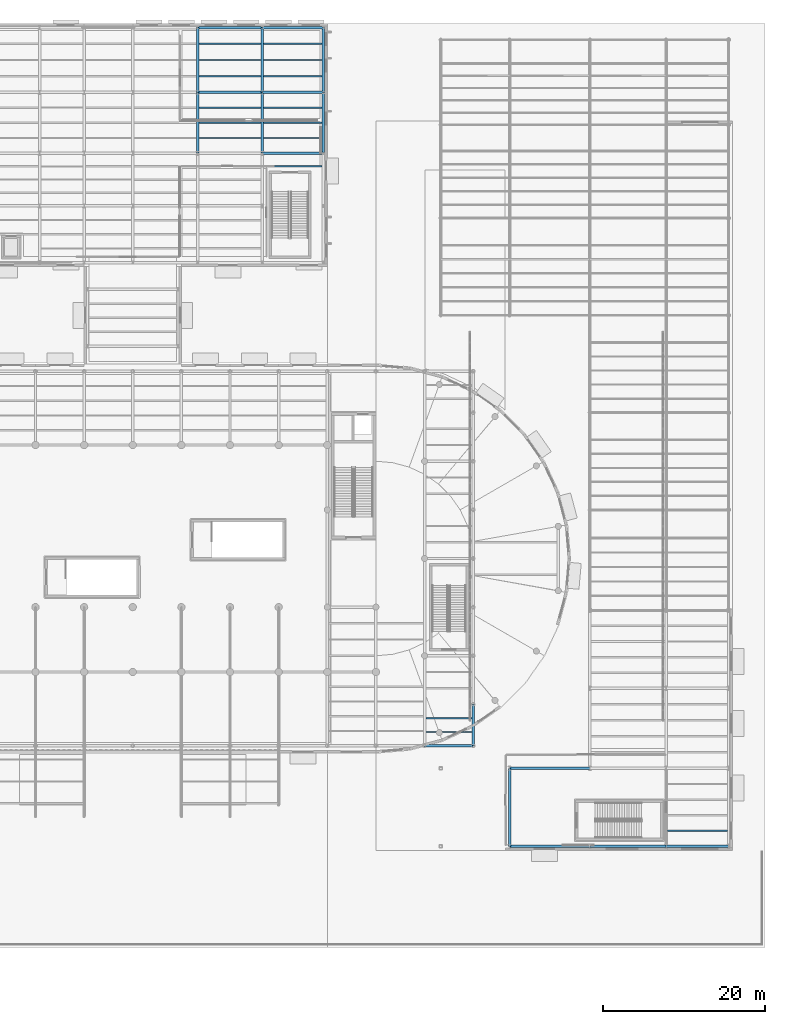
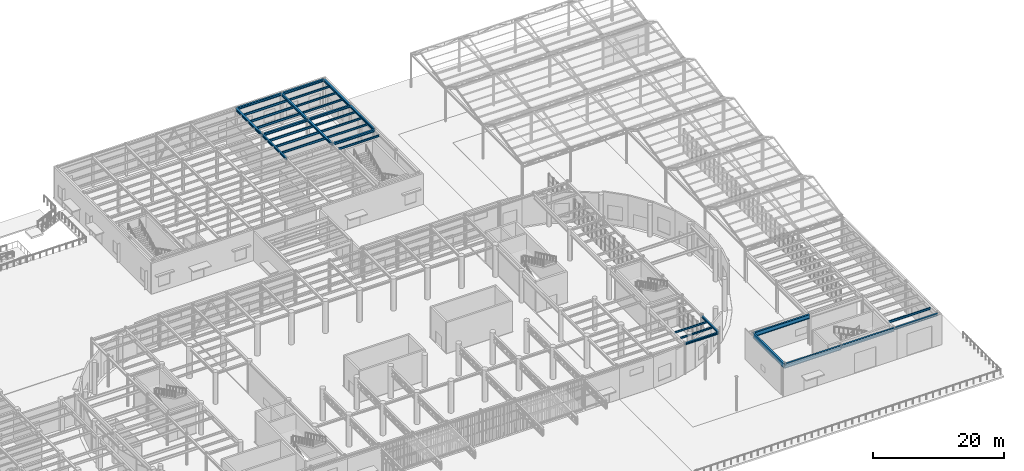
# One storey, part 34 of 118: 34 beams.
"""IFC4 building model written with IfcOpenShell, lengths in metres."""

from ifc_helpers import new_model, si_unit, direction, frame, origin, origin_2d, place, context, subcontext, project, spatial, i_section, extrude, material, material_profile, profile_set, type_object, element, save


model = new_model("IFC4")

# Units and contexts
model_context = context("Model", 3, precision=1e-05, world=origin(), true_north=direction((0.0, 1.0)))
body_context = subcontext(model_context, "Body", "Model", "MODEL_VIEW")
ifc_project = project(units=[si_unit("LENGTHUNIT", "METRE"), si_unit("AREAUNIT", "SQUARE_METRE"), si_unit("VOLUMEUNIT", "CUBIC_METRE"), si_unit("PLANEANGLEUNIT", "RADIAN"), si_unit("MASSUNIT", "GRAM", prefix="KILO")], contexts=[model_context])

# Site, building, storey
site_placement = place(None, origin())
site = spatial("IfcSite", under=ifc_project, at=site_placement, CompositionType="ELEMENT")
building_placement = place(site_placement, origin())
building = spatial("IfcBuilding", under=site, at=building_placement, Name="Kolvaren Corner Interchange", CompositionType="ELEMENT")
storey_placement = place(building_placement, origin())
storey = spatial("IfcBuildingStorey", under=building, at=storey_placement, Name="L01", CompositionType="ELEMENT", Elevation=0.0)

# Beams
ifc_material_1 = material(Name="Steel S355", Category="steel")
ifc_material_profile_1 = material_profile(ifc_material_1, i_section(OverallWidth=0.300048828125, OverallDepth=0.31005859375, WebThickness=0.009033203125, FlangeThickness=0.015380859375, FilletRadius=0.027099609375, at=origin_2d()), Name="HEA 320")
ifc_profile_set_1 = profile_set([ifc_material_profile_1], Name="Steel S355")
beam_type_1 = type_object("IfcBeamType", Name="BM-HEA320", PredefinedType="BEAM", material=ifc_profile_set_1)
beam_1_placement = place(storey_placement, frame((132.0, 24.89990234375, 5.594970703125), z_axis=(0.0, 1.0, 0.0), x_axis=(-1.0, 0.0, 0.0)))
element("IfcBeam", 1, at=beam_1_placement, inside=storey, type_object=beam_type_1, Name="Storey L01 Grid Y Primary Girder 0369", PredefinedType="BEAM", context=body_context, shape_type="SweptSolid", body=[
    extrude(i_section(OverallWidth=0.300048828125, OverallDepth=0.31005859375, WebThickness=0.009033203125, FlangeThickness=0.015380859375, FilletRadius=0.027099609375, at=origin_2d()), origin(), (0.0, 0.0, 1.0), 5.10009765625),
])
ifc_material_2 = material(Name="Steel S355", Category="steel")
ifc_material_profile_2 = material_profile(ifc_material_2, i_section(OverallWidth=0.300048828125, OverallDepth=0.35009765625, WebThickness=0.010009765625, FlangeThickness=0.017578125, FilletRadius=0.027099609375, at=origin_2d()), Name="HEA 360")
ifc_profile_set_2 = profile_set([ifc_material_profile_2], Name="Steel S355")
beam_type_2 = type_object("IfcBeamType", Name="BM-HEA360", PredefinedType="BEAM", material=ifc_profile_set_2)
beam_2_placement = place(storey_placement, frame((126.0, 24.89990234375, 5.574951171875), z_axis=(1.0, 0.0, 0.0), x_axis=(0.0, 1.0, 0.0)))
element("IfcBeam", 2, at=beam_2_placement, inside=storey, type_object=beam_type_2, Name="Storey L01 Grid X Primary Girder 0224", PredefinedType="BEAM", context=body_context, shape_type="SweptSolid", body=[
    extrude(i_section(OverallWidth=0.300048828125, OverallDepth=0.35009765625, WebThickness=0.010009765625, FlangeThickness=0.017578125, FilletRadius=0.027099609375, at=origin_2d()), origin(), (0.0, 0.0, 1.0), 6.0),
])
ifc_material_3 = material(Name="Steel S355", Category="steel")
ifc_material_profile_3 = material_profile(ifc_material_3, i_section(OverallWidth=0.300048828125, OverallDepth=0.389892578125, WebThickness=0.010986328125, FlangeThickness=0.01904296875, FilletRadius=0.027099609375, at=origin_2d()), Name="HEA 400")
ifc_profile_set_3 = profile_set([ifc_material_profile_3], Name="Steel S355")
beam_type_3 = type_object("IfcBeamType", Name="BM-HEA400", PredefinedType="BEAM", material=ifc_profile_set_3)
for number, where, z_axis, x_axis, name in (
    (3, (98.0, 98.0, 5.544921875), (0.0, 1.0, 0.0), (-1.0, 0.0, 0.0), "Storey L01 Grid Y Primary Girder 0518"),
    (4, (106.0, 98.0, 5.544921875), (0.0, 1.0, 0.0), (-1.0, 0.0, 0.0), "Storey L01 Grid Y Primary Girder 0522"),
    (5, (113.5, 98.0, 5.544921875), (0.0, 1.0, 0.0), (-1.0, 0.0, 0.0), "Storey L01 Grid Y Primary Girder 0526"),
):
    element("IfcBeam", number, at=place(storey_placement, frame(where, z_axis=z_axis, x_axis=x_axis)), inside=storey, type_object=beam_type_3, Name=name, PredefinedType="BEAM", context=body_context, shape_type="SweptSolid", body=[
        extrude(i_section(OverallWidth=0.300048828125, OverallDepth=0.389892578125, WebThickness=0.010986328125, FlangeThickness=0.01904296875, FilletRadius=0.027099609375, at=origin_2d()), origin(), (0.0, 0.0, 1.0), 7.5),
    ])
ifc_material_4 = material(Name="Steel S355", Category="steel")
ifc_material_profile_4 = material_profile(ifc_material_4, i_section(OverallWidth=0.300048828125, OverallDepth=0.43994140625, WebThickness=0.011474609375, FlangeThickness=0.02099609375, FilletRadius=0.027099609375, at=origin_2d()), Name="HEA 450")
ifc_profile_set_4 = profile_set([ifc_material_profile_4], Name="Steel S355")
beam_type_4 = type_object("IfcBeamType", Name="BM-HEA450", PredefinedType="BEAM", material=ifc_profile_set_4)
beam_3_placement = place(storey_placement, frame((155.800048828125, 12.5, 5.52001953125), z_axis=(1.0, 0.0, 0.0), x_axis=(0.0, 1.0, 0.0)))
element("IfcBeam", 6, at=beam_3_placement, inside=storey, type_object=beam_type_4, Name="Storey L01 Grid X Primary Girder 0386", PredefinedType="BEAM", context=body_context, shape_type="SweptSolid", body=[
    extrude(i_section(OverallWidth=0.300048828125, OverallDepth=0.43994140625, WebThickness=0.011474609375, FlangeThickness=0.02099609375, FilletRadius=0.027099609375, at=origin_2d()), origin(), (0.0, 0.0, 1.0), 7.699951171875),
])
beam_4_placement = place(storey_placement, frame((106.0, 98.0, 5.52001953125), z_axis=(1.0, 0.0, 0.0), x_axis=(0.0, 1.0, 0.0)))
element("IfcBeam", 7, at=beam_4_placement, inside=storey, type_object=beam_type_4, Name="Storey L01 Grid X Primary Girder 0433", PredefinedType="BEAM", context=body_context, shape_type="SweptSolid", body=[
    extrude(i_section(OverallWidth=0.300048828125, OverallDepth=0.43994140625, WebThickness=0.011474609375, FlangeThickness=0.02099609375, FilletRadius=0.027099609375, at=origin_2d()), origin(), (0.0, 0.0, 1.0), 7.5),
])
beam_5_placement = place(storey_placement, frame((98.0, 105.5, 5.52001953125), z_axis=(1.0, 0.0, 0.0), x_axis=(0.0, 1.0, 0.0)))
element("IfcBeam", 8, at=beam_5_placement, inside=storey, type_object=beam_type_4, Name="Storey L01 Grid X Primary Girder 0439", PredefinedType="BEAM", context=body_context, shape_type="SweptSolid", body=[
    extrude(i_section(OverallWidth=0.300048828125, OverallDepth=0.43994140625, WebThickness=0.011474609375, FlangeThickness=0.02099609375, FilletRadius=0.027099609375, at=origin_2d()), origin(), (0.0, 0.0, 1.0), 8.0),
])
beam_6_placement = place(storey_placement, frame((106.0, 105.5, 5.52001953125), z_axis=(1.0, 0.0, 0.0), x_axis=(0.0, 1.0, 0.0)))
element("IfcBeam", 9, at=beam_6_placement, inside=storey, type_object=beam_type_4, Name="Storey L01 Grid X Primary Girder 0440", PredefinedType="BEAM", context=body_context, shape_type="SweptSolid", body=[
    extrude(i_section(OverallWidth=0.300048828125, OverallDepth=0.43994140625, WebThickness=0.011474609375, FlangeThickness=0.02099609375, FilletRadius=0.027099609375, at=origin_2d()), origin(), (0.0, 0.0, 1.0), 7.5),
])
beam_7_placement = place(storey_placement, frame((98.0, 113.5, 5.52001953125), z_axis=(1.0, 0.0, 0.0), x_axis=(0.0, 1.0, 0.0)))
element("IfcBeam", 10, at=beam_7_placement, inside=storey, type_object=beam_type_4, Name="Storey L01 Grid X Primary Girder 0446", PredefinedType="BEAM", context=body_context, shape_type="SweptSolid", body=[
    extrude(i_section(OverallWidth=0.300048828125, OverallDepth=0.43994140625, WebThickness=0.011474609375, FlangeThickness=0.02099609375, FilletRadius=0.027099609375, at=origin_2d()), origin(), (0.0, 0.0, 1.0), 8.0),
])
beam_8_placement = place(storey_placement, frame((106.0, 113.5, 5.52001953125), z_axis=(1.0, 0.0, 0.0), x_axis=(0.0, 1.0, 0.0)))
element("IfcBeam", 11, at=beam_8_placement, inside=storey, type_object=beam_type_4, Name="Storey L01 Grid X Primary Girder 0447", PredefinedType="BEAM", context=body_context, shape_type="SweptSolid", body=[
    extrude(i_section(OverallWidth=0.300048828125, OverallDepth=0.43994140625, WebThickness=0.011474609375, FlangeThickness=0.02099609375, FilletRadius=0.027099609375, at=origin_2d()), origin(), (0.0, 0.0, 1.0), 7.5),
])
ifc_material_5 = material(Name="Steel S355", Category="steel")
ifc_material_profile_5 = material_profile(ifc_material_5, i_section(OverallWidth=0.300048828125, OverallDepth=0.489990234375, WebThickness=0.011962890625, FlangeThickness=0.02294921875, FilletRadius=0.027099609375, at=origin_2d()), Name="HEA 500")
ifc_profile_set_5 = profile_set([ifc_material_profile_5], Name="Steel S355")
beam_type_5 = type_object("IfcBeamType", Name="BM-HEA500", PredefinedType="BEAM", material=ifc_profile_set_5)
for number, where, z_axis, x_axis, name in (
    (12, (98.0, 105.5, 5.4951171875), (0.0, 1.0, 0.0), (-1.0, 0.0, 0.0), "Storey L01 Grid Y Primary Girder 0519"),
    (13, (106.0, 105.5, 5.4951171875), (0.0, 1.0, 0.0), (-1.0, 0.0, 0.0), "Storey L01 Grid Y Primary Girder 0523"),
    (14, (113.5, 105.5, 5.4951171875), (0.0, 1.0, 0.0), (-1.0, 0.0, 0.0), "Storey L01 Grid Y Primary Girder 0527"),
):
    element("IfcBeam", number, at=place(storey_placement, frame(where, z_axis=z_axis, x_axis=x_axis)), inside=storey, type_object=beam_type_5, Name=name, PredefinedType="BEAM", context=body_context, shape_type="SweptSolid", body=[
        extrude(i_section(OverallWidth=0.300048828125, OverallDepth=0.489990234375, WebThickness=0.011962890625, FlangeThickness=0.02294921875, FilletRadius=0.027099609375, at=origin_2d()), origin(), (0.0, 0.0, 1.0), 8.0),
    ])
ifc_material_6 = material(Name="Steel S355", Category="steel")
ifc_material_profile_6 = material_profile(ifc_material_6, i_section(OverallWidth=0.300048828125, OverallDepth=0.639892578125, WebThickness=0.013427734375, FlangeThickness=0.02587890625, FilletRadius=0.027099609375, at=origin_2d()), Name="HEA 650")
ifc_profile_set_6 = profile_set([ifc_material_profile_6], Name="Steel S355")
beam_type_6 = type_object("IfcBeamType", Name="BM-HEA650", PredefinedType="BEAM", material=ifc_profile_set_6)
beam_9_placement = place(storey_placement, frame((146.39990234375, 12.5, 5.419921875), z_axis=(1.0, 0.0, 0.0), x_axis=(0.0, 1.0, 0.0)))
element("IfcBeam", 15, at=beam_9_placement, inside=storey, type_object=beam_type_6, Name="Storey L01 Grid X Primary Girder 0385", PredefinedType="BEAM", context=body_context, shape_type="SweptSolid", body=[
    extrude(i_section(OverallWidth=0.300048828125, OverallDepth=0.639892578125, WebThickness=0.013427734375, FlangeThickness=0.02587890625, FilletRadius=0.027099609375, at=origin_2d()), origin(), (0.0, 0.0, 1.0), 9.400146484375),
])
ifc_material_7 = material(Name="Steel S355", Category="steel")
ifc_material_profile_7 = material_profile(ifc_material_7, i_section(OverallWidth=0.300048828125, OverallDepth=0.800048828125, WebThickness=0.017578125, FlangeThickness=0.032958984375, FilletRadius=0.030029296875, at=origin_2d()), Name="HEB 800")
ifc_profile_set_7 = profile_set([ifc_material_profile_7], Name="Steel S355")
beam_type_7 = type_object("IfcBeamType", Name="BM-HEB800", PredefinedType="BEAM", material=ifc_profile_set_7)
for number, where, z_axis, x_axis, name in (
    (16, (136.5, 12.5, 5.340087890625), (1.0, 0.0, 0.0), (0.0, 1.0, 0.0), "Storey L01 Grid X Primary Girder 0384"),
    (17, (136.5, 22.10009765625, 5.340087890625), (1.0, 0.0, 0.0), (0.0, 1.0, 0.0), "Storey L01 Grid X Primary Girder 0389"),
):
    element("IfcBeam", number, at=place(storey_placement, frame(where, z_axis=z_axis, x_axis=x_axis)), inside=storey, type_object=beam_type_7, Name=name, PredefinedType="BEAM", context=body_context, shape_type="SweptSolid", body=[
        extrude(i_section(OverallWidth=0.300048828125, OverallDepth=0.800048828125, WebThickness=0.017578125, FlangeThickness=0.032958984375, FilletRadius=0.030029296875, at=origin_2d()), origin(), (0.0, 0.0, 1.0), 9.89990234375),
    ])
ifc_material_8 = material(Name="Steel S355", Category="steel")
ifc_material_profile_8 = material_profile(ifc_material_8, i_section(OverallWidth=0.300048828125, OverallDepth=0.89990234375, WebThickness=0.0185546875, FlangeThickness=0.034912109375, FilletRadius=0.030029296875, at=origin_2d()), Name="HEB 900")
ifc_profile_set_8 = profile_set([ifc_material_profile_8], Name="Steel S355")
beam_type_8 = type_object("IfcBeamType", Name="BM-HEB900", PredefinedType="BEAM", material=ifc_profile_set_8)
beam_10_placement = place(storey_placement, frame((136.5, 12.5, 5.2900390625), z_axis=(0.0, 1.0, 0.0), x_axis=(-1.0, 0.0, 0.0)))
element("IfcBeam", 18, at=beam_10_placement, inside=storey, type_object=beam_type_8, Name="Storey L01 Grid Y Primary Girder 0528", PredefinedType="BEAM", context=body_context, shape_type="SweptSolid", body=[
    extrude(i_section(OverallWidth=0.300048828125, OverallDepth=0.89990234375, WebThickness=0.0185546875, FlangeThickness=0.034912109375, FilletRadius=0.030029296875, at=origin_2d()), origin(), (0.0, 0.0, 1.0), 9.60009765625),
])
ifc_material_9 = material(Name="Steel S355", Category="steel")
ifc_material_profile_9 = material_profile(ifc_material_9, i_section(OverallWidth=0.159912109375, OverallDepth=0.330078125, WebThickness=0.007568359375, FlangeThickness=0.011474609375, FilletRadius=0.01806640625, at=origin_2d()), Name="IPE 330")
ifc_profile_set_9 = profile_set([ifc_material_profile_9], Name="Steel S355")
beam_type_9 = type_object("IfcBeamType", Name="JS-IPE330", PredefinedType="JOIST", material=ifc_profile_set_9)
for number, where, z_axis, x_axis, name in (
    (19, (126.14990234375, 26.60009765625, 5.5849609375), (1.0, 0.0, 0.0), (0.0, 1.0, 0.0), "Storey L01 Composite Floor Joist 0374"),
    (20, (126.14990234375, 28.300048828125, 5.5849609375), (1.0, 0.0, 0.0), (0.0, 1.0, 0.0), "Storey L01 Composite Floor Joist 0375"),
):
    element("IfcBeam", number, at=place(storey_placement, frame(where, z_axis=z_axis, x_axis=x_axis)), inside=storey, type_object=beam_type_9, Name=name, PredefinedType="JOIST", context=body_context, shape_type="SweptSolid", body=[
        extrude(i_section(OverallWidth=0.159912109375, OverallDepth=0.330078125, WebThickness=0.007568359375, FlangeThickness=0.011474609375, FilletRadius=0.01806640625, at=origin_2d()), origin(), (0.0, 0.0, 1.0), 5.7001953125),
    ])
ifc_material_10 = material(Name="Steel S355", Category="steel")
ifc_material_profile_10 = material_profile(ifc_material_10, i_section(OverallWidth=0.169921875, OverallDepth=0.360107421875, WebThickness=0.008056640625, FlangeThickness=0.0126953125, FilletRadius=0.01806640625, at=origin_2d()), Name="IPE 360")
ifc_profile_set_10 = profile_set([ifc_material_profile_10], Name="Steel S355")
beam_type_10 = type_object("IfcBeamType", Name="JS-IPE360", PredefinedType="JOIST", material=ifc_profile_set_10)
for number, where, z_axis, x_axis, name in (
    (21, (106.14990234375, 96.375, 5.56005859375), (1.0, 0.0, 0.0), (0.0, 1.0, 0.0), "Storey L01 Composite Floor Joist 0504"),
    (22, (106.14990234375, 99.875, 5.56005859375), (1.0, 0.0, 0.0), (0.0, 1.0, 0.0), "Storey L01 Composite Floor Joist 0505"),
    (23, (106.14990234375, 101.75, 5.56005859375), (1.0, 0.0, 0.0), (0.0, 1.0, 0.0), "Storey L01 Composite Floor Joist 0506"),
    (24, (106.14990234375, 103.625, 5.56005859375), (1.0, 0.0, 0.0), (0.0, 1.0, 0.0), "Storey L01 Composite Floor Joist 0507"),
    (25, (106.14990234375, 107.5, 5.56005859375), (1.0, 0.0, 0.0), (0.0, 1.0, 0.0), "Storey L01 Composite Floor Joist 0508"),
    (26, (106.14990234375, 109.5, 5.56005859375), (1.0, 0.0, 0.0), (0.0, 1.0, 0.0), "Storey L01 Composite Floor Joist 0509"),
    (27, (106.14990234375, 111.5, 5.56005859375), (1.0, 0.0, 0.0), (0.0, 1.0, 0.0), "Storey L01 Composite Floor Joist 0510"),
):
    element("IfcBeam", number, at=place(storey_placement, frame(where, z_axis=z_axis, x_axis=x_axis)), inside=storey, type_object=beam_type_10, Name=name, PredefinedType="JOIST", context=body_context, shape_type="SweptSolid", body=[
        extrude(i_section(OverallWidth=0.169921875, OverallDepth=0.360107421875, WebThickness=0.008056640625, FlangeThickness=0.0126953125, FilletRadius=0.01806640625, at=origin_2d()), origin(), (0.0, 0.0, 1.0), 7.2001953125),
    ])
ifc_material_11 = material(Name="Steel S355", Category="steel")
ifc_material_profile_11 = material_profile(ifc_material_11, i_section(OverallWidth=0.179931640625, OverallDepth=0.39990234375, WebThickness=0.008544921875, FlangeThickness=0.013427734375, FilletRadius=0.02099609375, at=origin_2d()), Name="IPE 400")
ifc_profile_set_11 = profile_set([ifc_material_profile_11], Name="Steel S355")
beam_type_11 = type_object("IfcBeamType", Name="JS-IPE400", PredefinedType="JOIST", material=ifc_profile_set_11)
for number, where, z_axis, x_axis, name in (
    (28, (98.14990234375, 99.875, 5.5400390625), (1.0, 0.0, 0.0), (0.0, 1.0, 0.0), "Storey L01 Composite Floor Joist 0498"),
    (29, (98.14990234375, 101.75, 5.5400390625), (1.0, 0.0, 0.0), (0.0, 1.0, 0.0), "Storey L01 Composite Floor Joist 0499"),
    (30, (98.14990234375, 103.625, 5.5400390625), (1.0, 0.0, 0.0), (0.0, 1.0, 0.0), "Storey L01 Composite Floor Joist 0500"),
    (31, (98.14990234375, 107.5, 5.5400390625), (1.0, 0.0, 0.0), (0.0, 1.0, 0.0), "Storey L01 Composite Floor Joist 0501"),
    (32, (98.14990234375, 109.5, 5.5400390625), (1.0, 0.0, 0.0), (0.0, 1.0, 0.0), "Storey L01 Composite Floor Joist 0502"),
    (33, (98.14990234375, 111.5, 5.5400390625), (1.0, 0.0, 0.0), (0.0, 1.0, 0.0), "Storey L01 Composite Floor Joist 0503"),
):
    element("IfcBeam", number, at=place(storey_placement, frame(where, z_axis=z_axis, x_axis=x_axis)), inside=storey, type_object=beam_type_11, Name=name, PredefinedType="JOIST", context=body_context, shape_type="SweptSolid", body=[
        extrude(i_section(OverallWidth=0.179931640625, OverallDepth=0.39990234375, WebThickness=0.008544921875, FlangeThickness=0.013427734375, FilletRadius=0.02099609375, at=origin_2d()), origin(), (0.0, 0.0, 1.0), 7.7001953125),
    ])
beam_11_placement = place(storey_placement, frame((155.949951171875, 14.419921875, 5.5400390625), z_axis=(1.0, 0.0, 0.0), x_axis=(0.0, 1.0, 0.0)))
element("IfcBeam", 34, at=beam_11_placement, inside=storey, type_object=beam_type_11, Name="Storey L01 Composite Floor Joist 0519", PredefinedType="JOIST", context=body_context, shape_type="SweptSolid", body=[
    extrude(i_section(OverallWidth=0.179931640625, OverallDepth=0.39990234375, WebThickness=0.008544921875, FlangeThickness=0.013427734375, FilletRadius=0.02099609375, at=origin_2d()), origin(), (0.0, 0.0, 1.0), 7.400146484375),
])

save(model, "model.ifc")
